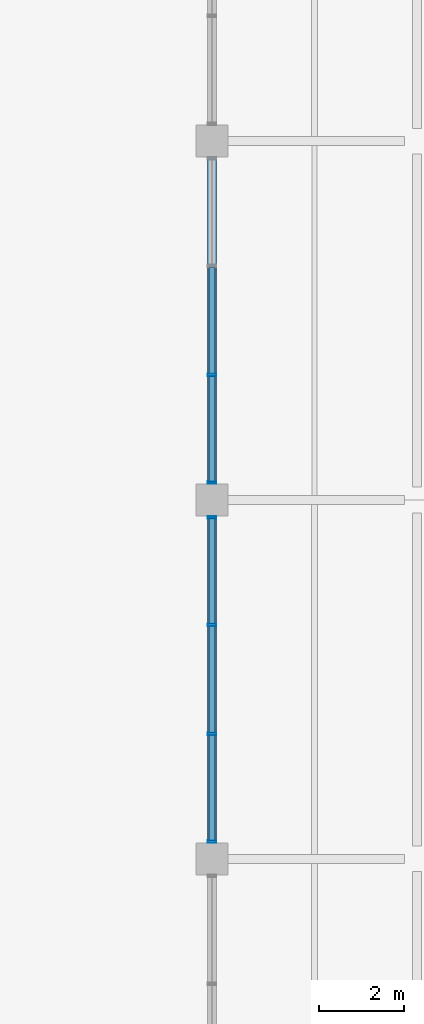
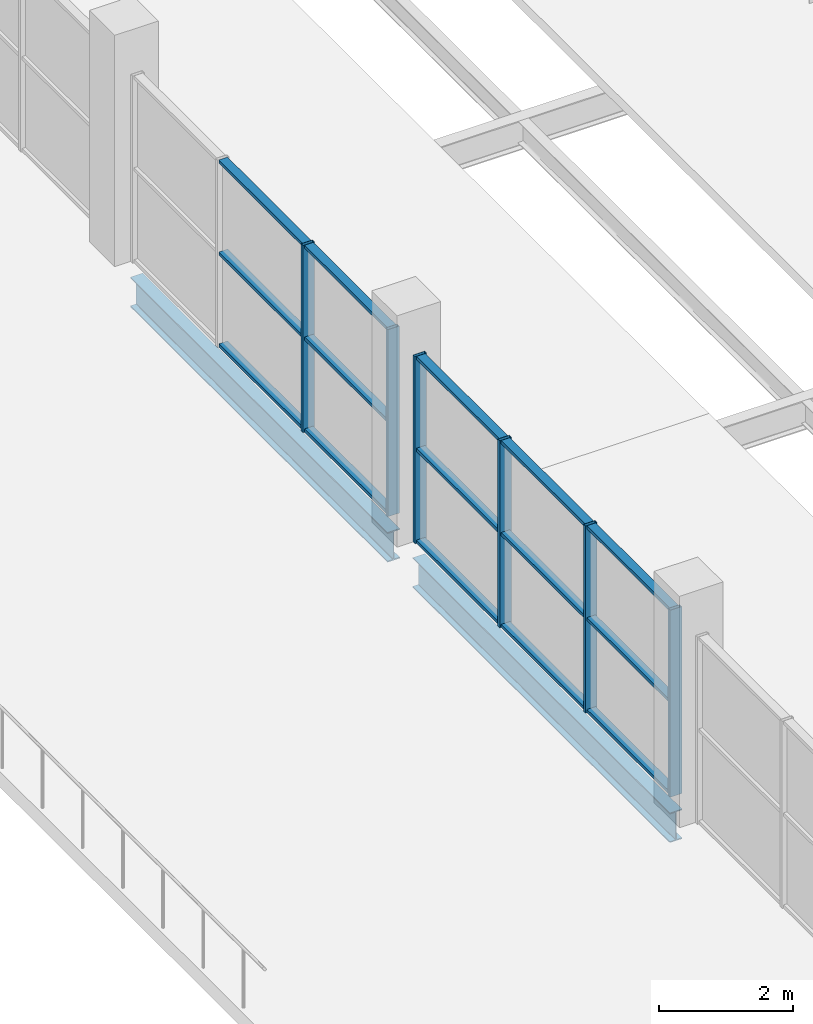
# One storey, part 47 of 161: 21 members, 2 beams, 2 elements without a shape of their own.
"""IFC4 building model written with IfcOpenShell, lengths in metres."""

from ifc_helpers import new_model, si_unit, direction, frame, origin, origin_2d, place, context, subcontext, project, spatial, hollow_rectangle, i_section, extrude, material, material_profile, profile_set, type_object, element, aggregate, save


model = new_model("IFC4")

# Units and contexts
model_context = context("Model", 3, precision=1e-05, world=origin(), true_north=direction((0.0, 1.0)))
body_context = subcontext(model_context, "Body", "Model", "MODEL_VIEW")
ifc_project = project(units=[si_unit("LENGTHUNIT", "METRE"), si_unit("AREAUNIT", "SQUARE_METRE"), si_unit("VOLUMEUNIT", "CUBIC_METRE"), si_unit("PLANEANGLEUNIT", "RADIAN"), si_unit("MASSUNIT", "GRAM", prefix="KILO"), si_unit("THERMODYNAMICTEMPERATUREUNIT", "KELVIN")], contexts=[model_context])

# Site, building, storey
site_placement = place(None, origin())
site = spatial("IfcSite", under=ifc_project, at=site_placement, CompositionType="ELEMENT")
building_placement = place(site_placement, origin())
building = spatial("IfcBuilding", under=site, at=building_placement, Name="Nduvali Passage Aquatics Centre", CompositionType="ELEMENT")
storey_placement = place(building_placement, frame((0.0, 0.0, 4.800048828125)))
storey = spatial("IfcBuildingStorey", under=building, at=storey_placement, Name="L01", CompositionType="ELEMENT", Elevation=4.800048828125)

# Curtain wall, members
ifc_material_1 = material(Name="Aluminium EN AW-6063 T6", Category="aluminium")
curtain_wall_type = type_object("IfcCurtainWallType", Name="ENV-CW-HALL", PredefinedType="NOTDEFINED", material=ifc_material_1)
curtain_wall_1_placement = place(storey_placement, origin())
curtain_wall_1 = element("IfcCurtainWall", 1, at=curtain_wall_1_placement, inside=storey, type_object=curtain_wall_type, Name="L01 East Passage Pool Hall Gallery Glazing 027", PredefinedType="NOTDEFINED")
ifc_material_profile_1 = material_profile(ifc_material_1, hollow_rectangle(XDim=0.06005859375, YDim=0.199951171875, WallThickness=0.00390625, at=origin_2d()), Name="ALU MULLION 60x200x4")
ifc_profile_set_1 = profile_set([ifc_material_profile_1], Name="Aluminium EN AW-6063 T6")
member_type_1 = type_object("IfcMemberType", Name="ENV-MEM-MUL80", PredefinedType="MULLION", material=ifc_profile_set_1)
member_1_placement = place(storey_placement, frame((126.0, 50.804931640625, 0.0), z_axis=(0.0, 0.0, 1.0), x_axis=(0.0, 1.0, 0.0)))
member_1 = element("IfcMember", 2, at=member_1_placement, type_object=member_type_1, Name="East Passage Pool Hall Gallery Glazing Mullion 1", PredefinedType="MULLION", context=body_context, shape_type="SweptSolid", body=[
    extrude(hollow_rectangle(XDim=0.06005859375, YDim=0.199951171875, WallThickness=0.00390625, at=origin_2d()), origin(), (0.0, 0.0, 1.0), 3.396484375),
])
member_2_placement = place(storey_placement, frame((126.0, 53.324951171875, 0.0), z_axis=(0.0, 0.0, 1.0), x_axis=(0.0, 1.0, 0.0)))
member_2 = element("IfcMember", 3, at=member_2_placement, type_object=member_type_1, Name="East Passage Pool Hall Gallery Glazing Mullion 2", PredefinedType="MULLION", context=body_context, shape_type="SweptSolid", body=[
    extrude(hollow_rectangle(XDim=0.06005859375, YDim=0.199951171875, WallThickness=0.00390625, at=origin_2d()), origin(), (0.0, 0.0, 1.0), 3.396484375),
])
member_3_placement = place(storey_placement, frame((126.0, 55.875, 0.0), z_axis=(0.0, 0.0, 1.0), x_axis=(0.0, 1.0, 0.0)))
member_3 = element("IfcMember", 4, at=member_3_placement, type_object=member_type_1, Name="East Passage Pool Hall Gallery Glazing Mullion 3", PredefinedType="MULLION", context=body_context, shape_type="SweptSolid", body=[
    extrude(hollow_rectangle(XDim=0.06005859375, YDim=0.199951171875, WallThickness=0.00390625, at=origin_2d()), origin(), (0.0, 0.0, 1.0), 3.396484375),
])
member_4_placement = place(storey_placement, frame((126.0, 58.39501953125, 0.0), z_axis=(0.0, 0.0, 1.0), x_axis=(0.0, 1.0, 0.0)))
member_4 = element("IfcMember", 5, at=member_4_placement, type_object=member_type_1, Name="East Passage Pool Hall Gallery Glazing Mullion 4", PredefinedType="MULLION", context=body_context, shape_type="SweptSolid", body=[
    extrude(hollow_rectangle(XDim=0.06005859375, YDim=0.199951171875, WallThickness=0.00390625, at=origin_2d()), origin(), (0.0, 0.0, 1.0), 3.396484375),
])

curtain_wall_2_placement = place(storey_placement, origin())
curtain_wall_2 = element("IfcCurtainWall", 6, at=curtain_wall_2_placement, inside=storey, type_object=curtain_wall_type, Name="L01 East Passage Pool Hall Gallery Glazing 030", PredefinedType="NOTDEFINED")
member_5_placement = place(storey_placement, frame((126.0, 59.205078125, 0.0), z_axis=(0.0, 0.0, 1.0), x_axis=(0.0, 1.0, 0.0)))
member_5 = element("IfcMember", 7, at=member_5_placement, type_object=member_type_1, Name="East Passage Pool Hall Gallery Glazing Mullion 1", PredefinedType="MULLION", context=body_context, shape_type="SweptSolid", body=[
    extrude(hollow_rectangle(XDim=0.06005859375, YDim=0.199951171875, WallThickness=0.00390625, at=origin_2d()), origin(), (0.0, 0.0, 1.0), 3.396484375),
])
member_6_placement = place(storey_placement, frame((126.0, 61.72509765625, 0.0), z_axis=(0.0, 0.0, 1.0), x_axis=(0.0, 1.0, 0.0)))
member_6 = element("IfcMember", 8, at=member_6_placement, type_object=member_type_1, Name="East Passage Pool Hall Gallery Glazing Mullion 2", PredefinedType="MULLION", context=body_context, shape_type="SweptSolid", body=[
    extrude(hollow_rectangle(XDim=0.06005859375, YDim=0.199951171875, WallThickness=0.00390625, at=origin_2d()), origin(), (0.0, 0.0, 1.0), 3.396484375),
])

# Member
ifc_material_profile_2 = material_profile(ifc_material_1, hollow_rectangle(XDim=0.14990234375, YDim=0.06005859375, WallThickness=0.00390625, at=origin_2d()), Name="ALU TRANSOM 150x60x4")
ifc_profile_set_2 = profile_set([ifc_material_profile_2], Name="Aluminium EN AW-6063 T6")
member_type_2 = type_object("IfcMemberType", Name="ENV-MEM-TRN80", PredefinedType="USERDEFINED", material=ifc_profile_set_2)
member_7_placement = place(storey_placement, frame((126.0, 50.8349609375, 0.030029296875), z_axis=(0.0, 1.0, 0.0), x_axis=(-1.0, 0.0, 0.0)))
member_7 = element("IfcMember", 9, at=member_7_placement, type_object=member_type_2, Name="East Passage Pool Hall Gallery Glazing Transom B1-R0", ObjectType="TRANSOM", PredefinedType="USERDEFINED", context=body_context, shape_type="SweptSolid", body=[
    extrude(hollow_rectangle(XDim=0.14990234375, YDim=0.06005859375, WallThickness=0.00390625, at=origin_2d()), origin(), (0.0, 0.0, 1.0), 2.4599609375),
])

member_8_placement = place(storey_placement, frame((126.0, 50.8349609375, 1.6982421875), z_axis=(0.0, 1.0, 0.0), x_axis=(-1.0, 0.0, 0.0)))
member_8 = element("IfcMember", 10, at=member_8_placement, type_object=member_type_2, Name="East Passage Pool Hall Gallery Glazing Transom B1-R1", ObjectType="TRANSOM", PredefinedType="USERDEFINED", context=body_context, shape_type="SweptSolid", body=[
    extrude(hollow_rectangle(XDim=0.14990234375, YDim=0.06005859375, WallThickness=0.00390625, at=origin_2d()), origin(), (0.0, 0.0, 1.0), 2.4599609375),
])

member_9_placement = place(storey_placement, frame((126.0, 50.8349609375, 3.366455078125), z_axis=(0.0, 1.0, 0.0), x_axis=(-1.0, 0.0, 0.0)))
member_9 = element("IfcMember", 11, at=member_9_placement, type_object=member_type_2, Name="East Passage Pool Hall Gallery Glazing Transom B1-R2", ObjectType="TRANSOM", PredefinedType="USERDEFINED", context=body_context, shape_type="SweptSolid", body=[
    extrude(hollow_rectangle(XDim=0.14990234375, YDim=0.06005859375, WallThickness=0.00390625, at=origin_2d()), origin(), (0.0, 0.0, 1.0), 2.4599609375),
])

member_10_placement = place(storey_placement, frame((126.0, 53.35498046875, 0.030029296875), z_axis=(0.0, 1.0, 0.0), x_axis=(-1.0, 0.0, 0.0)))
member_10 = element("IfcMember", 12, at=member_10_placement, type_object=member_type_2, Name="East Passage Pool Hall Gallery Glazing Transom B2-R0", ObjectType="TRANSOM", PredefinedType="USERDEFINED", context=body_context, shape_type="SweptSolid", body=[
    extrude(hollow_rectangle(XDim=0.14990234375, YDim=0.06005859375, WallThickness=0.00390625, at=origin_2d()), origin(), (0.0, 0.0, 1.0), 2.489990234375),
])

member_11_placement = place(storey_placement, frame((126.0, 53.35498046875, 1.6982421875), z_axis=(0.0, 1.0, 0.0), x_axis=(-1.0, 0.0, 0.0)))
member_11 = element("IfcMember", 13, at=member_11_placement, type_object=member_type_2, Name="East Passage Pool Hall Gallery Glazing Transom B2-R1", ObjectType="TRANSOM", PredefinedType="USERDEFINED", context=body_context, shape_type="SweptSolid", body=[
    extrude(hollow_rectangle(XDim=0.14990234375, YDim=0.06005859375, WallThickness=0.00390625, at=origin_2d()), origin(), (0.0, 0.0, 1.0), 2.489990234375),
])

member_12_placement = place(storey_placement, frame((126.0, 53.35498046875, 3.366455078125), z_axis=(0.0, 1.0, 0.0), x_axis=(-1.0, 0.0, 0.0)))
member_12 = element("IfcMember", 14, at=member_12_placement, type_object=member_type_2, Name="East Passage Pool Hall Gallery Glazing Transom B2-R2", ObjectType="TRANSOM", PredefinedType="USERDEFINED", context=body_context, shape_type="SweptSolid", body=[
    extrude(hollow_rectangle(XDim=0.14990234375, YDim=0.06005859375, WallThickness=0.00390625, at=origin_2d()), origin(), (0.0, 0.0, 1.0), 2.489990234375),
])

member_13_placement = place(storey_placement, frame((126.0, 55.905029296875, 0.030029296875), z_axis=(0.0, 1.0, 0.0), x_axis=(-1.0, 0.0, 0.0)))
member_13 = element("IfcMember", 15, at=member_13_placement, type_object=member_type_2, Name="East Passage Pool Hall Gallery Glazing Transom B3-R0", ObjectType="TRANSOM", PredefinedType="USERDEFINED", context=body_context, shape_type="SweptSolid", body=[
    extrude(hollow_rectangle(XDim=0.14990234375, YDim=0.06005859375, WallThickness=0.00390625, at=origin_2d()), origin(), (0.0, 0.0, 1.0), 2.4599609375),
])

member_14_placement = place(storey_placement, frame((126.0, 55.905029296875, 1.6982421875), z_axis=(0.0, 1.0, 0.0), x_axis=(-1.0, 0.0, 0.0)))
member_14 = element("IfcMember", 16, at=member_14_placement, type_object=member_type_2, Name="East Passage Pool Hall Gallery Glazing Transom B3-R1", ObjectType="TRANSOM", PredefinedType="USERDEFINED", context=body_context, shape_type="SweptSolid", body=[
    extrude(hollow_rectangle(XDim=0.14990234375, YDim=0.06005859375, WallThickness=0.00390625, at=origin_2d()), origin(), (0.0, 0.0, 1.0), 2.4599609375),
])

member_15_placement = place(storey_placement, frame((126.0, 55.905029296875, 3.366455078125), z_axis=(0.0, 1.0, 0.0), x_axis=(-1.0, 0.0, 0.0)))
member_15 = element("IfcMember", 17, at=member_15_placement, type_object=member_type_2, Name="East Passage Pool Hall Gallery Glazing Transom B3-R2", ObjectType="TRANSOM", PredefinedType="USERDEFINED", context=body_context, shape_type="SweptSolid", body=[
    extrude(hollow_rectangle(XDim=0.14990234375, YDim=0.06005859375, WallThickness=0.00390625, at=origin_2d()), origin(), (0.0, 0.0, 1.0), 2.4599609375),
])

aggregate(curtain_wall_1, [member_1, member_2, member_3, member_4, member_7, member_8, member_9, member_10, member_11, member_12, member_13, member_14, member_15])

member_16_placement = place(storey_placement, frame((126.0, 59.235107421875, 0.030029296875), z_axis=(0.0, 1.0, 0.0), x_axis=(-1.0, 0.0, 0.0)))
member_16 = element("IfcMember", 18, at=member_16_placement, type_object=member_type_2, Name="East Passage Pool Hall Gallery Glazing Transom B1-R0", ObjectType="TRANSOM", PredefinedType="USERDEFINED", context=body_context, shape_type="SweptSolid", body=[
    extrude(hollow_rectangle(XDim=0.14990234375, YDim=0.06005859375, WallThickness=0.00390625, at=origin_2d()), origin(), (0.0, 0.0, 1.0), 2.4599609375),
])

member_17_placement = place(storey_placement, frame((126.0, 59.235107421875, 1.6982421875), z_axis=(0.0, 1.0, 0.0), x_axis=(-1.0, 0.0, 0.0)))
member_17 = element("IfcMember", 19, at=member_17_placement, type_object=member_type_2, Name="East Passage Pool Hall Gallery Glazing Transom B1-R1", ObjectType="TRANSOM", PredefinedType="USERDEFINED", context=body_context, shape_type="SweptSolid", body=[
    extrude(hollow_rectangle(XDim=0.14990234375, YDim=0.06005859375, WallThickness=0.00390625, at=origin_2d()), origin(), (0.0, 0.0, 1.0), 2.4599609375),
])

member_18_placement = place(storey_placement, frame((126.0, 59.235107421875, 3.366455078125), z_axis=(0.0, 1.0, 0.0), x_axis=(-1.0, 0.0, 0.0)))
member_18 = element("IfcMember", 20, at=member_18_placement, type_object=member_type_2, Name="East Passage Pool Hall Gallery Glazing Transom B1-R2", ObjectType="TRANSOM", PredefinedType="USERDEFINED", context=body_context, shape_type="SweptSolid", body=[
    extrude(hollow_rectangle(XDim=0.14990234375, YDim=0.06005859375, WallThickness=0.00390625, at=origin_2d()), origin(), (0.0, 0.0, 1.0), 2.4599609375),
])

member_19_placement = place(storey_placement, frame((126.0, 61.7548828125, 0.030029296875), z_axis=(0.0, 1.0, 0.0), x_axis=(-1.0, 0.0, 0.0)))
member_19 = element("IfcMember", 21, at=member_19_placement, type_object=member_type_2, Name="East Passage Pool Hall Gallery Glazing Transom B2-R0", ObjectType="TRANSOM", PredefinedType="USERDEFINED", context=body_context, shape_type="SweptSolid", body=[
    extrude(hollow_rectangle(XDim=0.14990234375, YDim=0.06005859375, WallThickness=0.00390625, at=origin_2d()), origin(), (0.0, 0.0, 1.0), 2.490234375),
])

member_20_placement = place(storey_placement, frame((126.0, 61.7548828125, 1.6982421875), z_axis=(0.0, 1.0, 0.0), x_axis=(-1.0, 0.0, 0.0)))
member_20 = element("IfcMember", 22, at=member_20_placement, type_object=member_type_2, Name="East Passage Pool Hall Gallery Glazing Transom B2-R1", ObjectType="TRANSOM", PredefinedType="USERDEFINED", context=body_context, shape_type="SweptSolid", body=[
    extrude(hollow_rectangle(XDim=0.14990234375, YDim=0.06005859375, WallThickness=0.00390625, at=origin_2d()), origin(), (0.0, 0.0, 1.0), 2.490234375),
])

member_21_placement = place(storey_placement, frame((126.0, 61.7548828125, 3.366455078125), z_axis=(0.0, 1.0, 0.0), x_axis=(-1.0, 0.0, 0.0)))
member_21 = element("IfcMember", 23, at=member_21_placement, type_object=member_type_2, Name="East Passage Pool Hall Gallery Glazing Transom B2-R2", ObjectType="TRANSOM", PredefinedType="USERDEFINED", context=body_context, shape_type="SweptSolid", body=[
    extrude(hollow_rectangle(XDim=0.14990234375, YDim=0.06005859375, WallThickness=0.00390625, at=origin_2d()), origin(), (0.0, 0.0, 1.0), 2.490234375),
])

aggregate(curtain_wall_2, [member_5, member_6, member_16, member_17, member_18, member_19, member_20, member_21])

# Beams
ifc_material_2 = material(Name="Steel S355", Category="steel")
ifc_material_profile_3 = material_profile(ifc_material_2, i_section(OverallWidth=0.210693359375, OverallDepth=0.53955078125, WebThickness=0.01171875, FlangeThickness=0.018798828125, FilletRadius=0.0126953125, at=origin_2d()), Name="UKB 533x210x109")
ifc_profile_set_3 = profile_set([ifc_material_profile_3], Name="Steel S355")
beam_type = type_object("IfcBeamType", Name="STR-BM-UKB533-EXT", PredefinedType="BEAM", material=ifc_profile_set_3)
beam_1_placement = place(storey_placement, frame((126.0, 50.77490234375, -0.553955078125), z_axis=(0.0, 1.0, 0.0), x_axis=(-1.0, 0.0, 0.0)))
element("IfcBeam", 24, at=beam_1_placement, inside=storey, type_object=beam_type, Name="L01 Primary Y-Girder B6E-0628", PredefinedType="BEAM", context=body_context, shape_type="SweptSolid", body=[
    extrude(i_section(OverallWidth=0.210693359375, OverallDepth=0.53955078125, WebThickness=0.01171875, FlangeThickness=0.018798828125, FilletRadius=0.0126953125, at=origin_2d()), origin(), (0.0, 0.0, 1.0), 7.650146484375),
])
beam_2_placement = place(storey_placement, frame((126.0, 59.175048828125, -0.553955078125), z_axis=(0.0, 1.0, 0.0), x_axis=(-1.0, 0.0, 0.0)))
element("IfcBeam", 25, at=beam_2_placement, inside=storey, type_object=beam_type, Name="L01 Primary Y-Girder B6E-0629", PredefinedType="BEAM", context=body_context, shape_type="SweptSolid", body=[
    extrude(i_section(OverallWidth=0.210693359375, OverallDepth=0.53955078125, WebThickness=0.01171875, FlangeThickness=0.018798828125, FilletRadius=0.0126953125, at=origin_2d()), origin(), (0.0, 0.0, 1.0), 7.64990234375),
])

save(model, "model.ifc")
